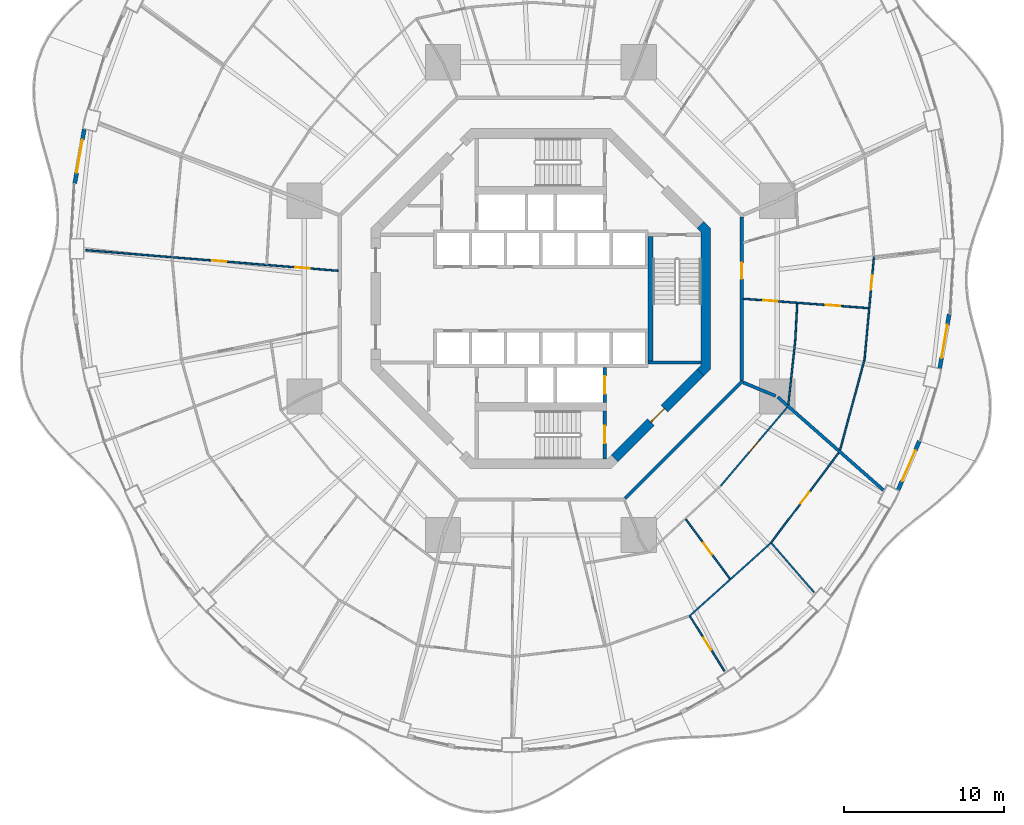
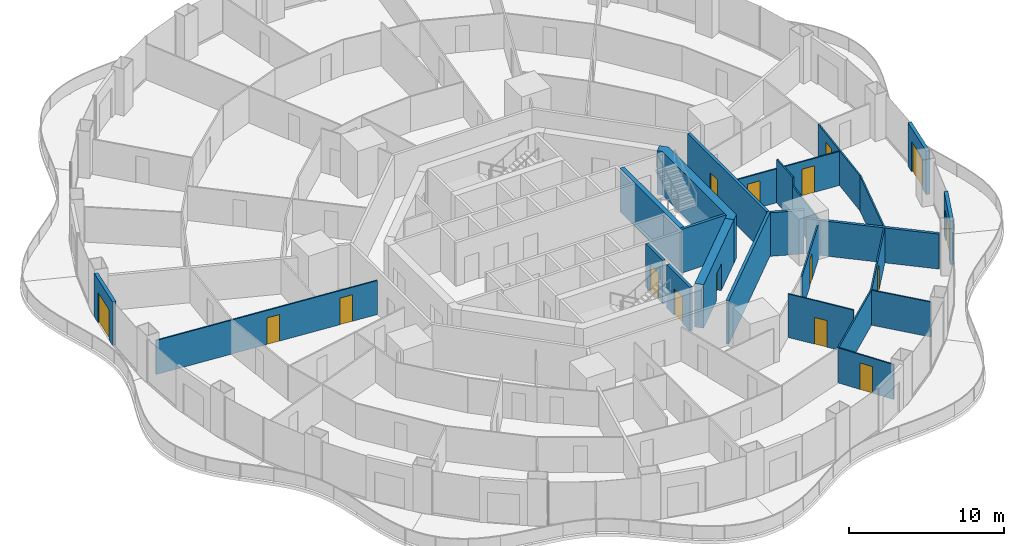
# One storey, part 16 of 22: 25 walls, 16 doors, 16 openings.
"""IFC4 building model written with IfcOpenShell, lengths in metres."""

from ifc_helpers import new_model, si_unit, direction, frame, frame_2d, origin, place, context, subcontext, project, spatial, polyline, rectangle, outline, extrude, material, layer, layer_set, type_object, element, fill, save


model = new_model("IFC4")

# Units and contexts
model_context = context("Model", 3, precision=1e-05, world=origin(), true_north=direction((0.0, 1.0)))
body_context = subcontext(model_context, "Body", "Model", "MODEL_VIEW")
ifc_project = project(units=[si_unit("LENGTHUNIT", "METRE"), si_unit("AREAUNIT", "SQUARE_METRE"), si_unit("VOLUMEUNIT", "CUBIC_METRE"), si_unit("PLANEANGLEUNIT", "RADIAN"), si_unit("MASSUNIT", "GRAM", prefix="KILO")], contexts=[model_context])

# Site, building, storey
site_placement = place(None, origin())
site = spatial("IfcSite", under=ifc_project, at=site_placement, CompositionType="ELEMENT")
building_placement = place(site_placement, origin())
building = spatial("IfcBuilding", under=site, at=building_placement, Name="Nagisa Residences", CompositionType="ELEMENT")
storey_placement = place(building_placement, frame((0.0, 0.0, 77.0)))
storey = spatial("IfcBuildingStorey", under=building, at=storey_placement, Name="L18", CompositionType="ELEMENT", Elevation=77.0)

# Walls
ifc_material_1 = material(Name="Gypsum board on steel studs", Category="steel")
ifc_layer_1 = layer(ifc_material_1, 0.199951171875)
ifc_layer_set_1 = layer_set([ifc_layer_1], Name="Apartment compartment wall EI60 200")
wall_type_1 = type_object("IfcWallType", Name="Apartment compartment wall EI60 200", PredefinedType="PARTITIONING", material=ifc_layer_set_1)
wall_1_placement = place(storey_placement, frame((12.6572265625, -5.24267578125, 0.0), z_axis=(0.0, 0.0, 1.0), x_axis=(0.923876145736, -0.382691608661, 0.0)))
element("IfcWall", 1, at=wall_1_placement, inside=storey, type_object=wall_type_1, Name="wall:L18:u06", PredefinedType="PARTITIONING", context=body_context, shape_type="SweptSolid", body=[
    extrude(rectangle(XDim=2.19970703125, YDim=0.199951171875, at=frame_2d((1.099853515625, 0.0))), origin(), (0.0, 0.0, 1.0), 3.43994140625),
])
wall_2_placement = place(storey_placement, frame((14.819580078125, -6.156005859375, 0.0), z_axis=(0.0, 0.0, 1.0), x_axis=(0.750582231659, -0.660777052808, 0.0)))
element("IfcWall", 2, at=wall_2_placement, inside=storey, type_object=wall_type_1, Name="wall:L18:u07", PredefinedType="PARTITIONING", context=body_context, shape_type="SweptSolid", body=[
    extrude(rectangle(XDim=8.781005859375, YDim=0.199951171875, at=frame_2d((4.390625, 0.0))), origin(), (0.0, 0.0, 1.0), 2.761962890625),
])

# Wall, opening, door
ifc_material_2 = material(Name="Gypsum board on steel studs", Category="steel")
ifc_layer_2 = layer(ifc_material_2, 0.199951171875)
ifc_layer_set_2 = layer_set([ifc_layer_2], Name="Apartment entry wall EI60 200")
wall_type_2 = type_object("IfcWallType", Name="Apartment entry wall EI60 200", PredefinedType="PARTITIONING", material=ifc_layer_set_2)
wall_3_placement = place(storey_placement, frame((12.564697265625, -5.1044921875, 0.0), z_axis=(0.0, 0.0, 1.0), x_axis=(0.0, 1.0, 0.0)))
wall_3 = element("IfcWall", 3, at=wall_3_placement, inside=storey, type_object=wall_type_2, Name="wall:L18:u08", PredefinedType="PARTITIONING", context=body_context, shape_type="SweptSolid", body=[
    extrude(rectangle(XDim=10.208984375, YDim=0.199951171875, at=frame_2d((5.1044921875, 0.0))), origin(), (0.0, 0.0, 1.0), 3.43994140625),
])
opening_1_placement = place(wall_3_placement, frame((6.33935546875, 0.0, 0.0)))
opening_1 = element("IfcOpeningElement", 4, at=opening_1_placement, cuts=wall_3, Name="Opening L18-U48", PredefinedType="OPENING", context=body_context, shape_type="SweptSolid", body=[
    extrude(rectangle(XDim=1.0, YDim=2.10009765625, at=frame_2d((0.5, 1.050048828125))), frame((0.0, 0.10986328125, 0.0), z_axis=(0.0, -1.0, 0.0), x_axis=(1.0, 0.0, 0.0)), (0.0, 0.0, 1.0), 0.219970703125),
])
ifc_material_3 = material(Name="Timber fire door set", Category="wood")
door_type_1 = type_object("IfcDoorType", Name="Apartment entry door FD30S 1000x2100", OperationType="NOTDEFINED", PredefinedType="DOOR", material=ifc_material_3)
door_1_placement = place(opening_1_placement, frame((1.0, 0.0, 0.0), x_axis=(-1.0, 0.0, 0.0)))
door_1 = element("IfcDoor", 5, at=door_1_placement, inside=storey, type_object=door_type_1, Name="Entry door, Apartment 18D", OperationType="SINGLE_SWING_LEFT", OverallHeight=2.10009765625, OverallWidth=1.0, PredefinedType="DOOR", context=body_context, shape_type="SweptSolid", body=[
    extrude(rectangle(XDim=1.0, YDim=2.10009765625, at=frame_2d((0.5, 1.050048828125))), frame((0.0, 0.02490234375, 0.0), z_axis=(0.0, -1.0, 0.0), x_axis=(1.0, 0.0, 0.0)), (0.0, 0.0, 1.0), 0.050048828125),
])
fill(opening_1, door_1)

# Wall
wall_4_placement = place(storey_placement, frame((5.275146484375, -12.494140625, 0.0), z_axis=(0.0, 0.0, 1.0), x_axis=(0.707106781187, 0.707106781187, 0.0)))
element("IfcWall", 6, at=wall_4_placement, inside=storey, type_object=wall_type_2, Name="wall:L18:u15", PredefinedType="PARTITIONING", context=body_context, shape_type="SweptSolid", body=[
    extrude(rectangle(XDim=10.4091796875, YDim=0.199951171875, at=frame_2d((5.20458984375, 0.0))), origin(), (0.0, 0.0, 1.0), 3.43994140625),
])

# Wall, opening, door
ifc_material_4 = material(Name="Gypsum board on steel studs", Category="steel")
ifc_layer_3 = layer(ifc_material_4, 0.10009765625)
ifc_layer_set_3 = layer_set([ifc_layer_3], Name="Apartment partition 100")
wall_type_3 = type_object("IfcWallType", Name="Apartment partition 100", PredefinedType="PARTITIONING", material=ifc_layer_set_3)
wall_5_placement = place(storey_placement, frame((20.833984375, 2.64208984375, 0.0), z_axis=(0.0, 0.0, 1.0), x_axis=(-0.091385407685, -0.995815599025, 0.0)))
wall_5 = element("IfcWall", 7, at=wall_5_placement, inside=storey, type_object=wall_type_3, Name="wall:L18:u18", PredefinedType="PARTITIONING", context=body_context, shape_type="SweptSolid", body=[
    extrude(rectangle(XDim=6.50244140625, YDim=0.10009765625, at=frame_2d((3.251220703125, 0.0))), origin(), (0.0, 0.0, 1.0), 2.761962890625),
])
opening_2_placement = place(wall_5_placement, frame((1.20068359375, 0.0, 0.0)))
opening_2 = element("IfcOpeningElement", 8, at=opening_2_placement, cuts=wall_5, Name="Opening L18-U53", PredefinedType="OPENING", context=body_context, shape_type="SweptSolid", body=[
    extrude(rectangle(XDim=0.89990234375, YDim=2.10009765625, at=frame_2d((0.449951171875, 1.050048828125))), frame((0.0, 0.06005859375, 0.0), z_axis=(0.0, -1.0, 0.0), x_axis=(1.0, 0.0, 0.0)), (0.0, 0.0, 1.0), 0.1201171875),
])
ifc_material_5 = material(Name="Timber door set", Category="wood")
door_type_2 = type_object("IfcDoorType", Name="Apartment door 900x2100", OperationType="NOTDEFINED", PredefinedType="DOOR", material=ifc_material_5)
door_2_placement = place(opening_2_placement, origin())
door_2 = element("IfcDoor", 9, at=door_2_placement, inside=storey, type_object=door_type_2, Name="Door to living room, Apartment 18D", OperationType="SINGLE_SWING_LEFT", OverallHeight=2.10009765625, OverallWidth=0.89990234375, PredefinedType="DOOR", context=body_context, shape_type="SweptSolid", body=[
    extrude(rectangle(XDim=0.89990234375, YDim=2.10009765625, at=frame_2d((0.449951171875, 1.050048828125))), frame((0.0, 0.02490234375, 0.0), z_axis=(0.0, -1.0, 0.0), x_axis=(1.0, 0.0, 0.0)), (0.0, 0.0, 1.0), 0.050048828125),
])
fill(opening_2, door_2)

# Wall, openings, doors
wall_6_placement = place(storey_placement, frame((-12.66455078125, 1.742919921875, 0.0), z_axis=(0.0, 0.0, 1.0), x_axis=(-0.996680482238, 0.081412630013, 0.0)))
wall_6 = element("IfcWall", 10, at=wall_6_placement, inside=storey, type_object=wall_type_3, Name="wall:L18:u55", PredefinedType="PARTITIONING", context=body_context, shape_type="SweptSolid", body=[
    extrude(rectangle(XDim=15.839599609375, YDim=0.10009765625, at=frame_2d((7.919921875, 0.0))), origin(), (0.0, 0.0, 1.0), 2.68701171875),
])
opening_3_placement = place(wall_6_placement, frame((1.793212890625, 0.0, 0.0)))
opening_3 = element("IfcOpeningElement", 11, at=opening_3_placement, cuts=wall_6, Name="Opening L18-U23", PredefinedType="OPENING", context=body_context, shape_type="SweptSolid", body=[
    extrude(rectangle(XDim=0.89990234375, YDim=2.10009765625, at=frame_2d((0.449951171875, 1.050048828125))), frame((0.0, 0.06005859375, 0.0), z_axis=(0.0, -1.0, 0.0), x_axis=(1.0, 0.0, 0.0)), (0.0, 0.0, 1.0), 0.1201171875),
])
opening_4_placement = place(wall_6_placement, frame((7.009033203125, 0.0, 0.0)))
opening_4 = element("IfcOpeningElement", 12, at=opening_4_placement, cuts=wall_6, Name="Opening L18-U25", PredefinedType="OPENING", context=body_context, shape_type="SweptSolid", body=[
    extrude(rectangle(XDim=0.89990234375, YDim=2.10009765625, at=frame_2d((0.449951171875, 1.050048828125))), frame((0.0, 0.06005859375, 0.0), z_axis=(0.0, -1.0, 0.0), x_axis=(1.0, 0.0, 0.0)), (0.0, 0.0, 1.0), 0.1201171875),
])
door_3_placement = place(opening_3_placement, frame((0.89990234375, 0.0, 0.0), x_axis=(-1.0, 0.0, 0.0)))
door_3 = element("IfcDoor", 13, at=door_3_placement, inside=storey, type_object=door_type_2, Name="Door to store, Apartment 18B", OperationType="SINGLE_SWING_RIGHT", OverallHeight=2.10009765625, OverallWidth=0.89990234375, PredefinedType="DOOR", context=body_context, shape_type="SweptSolid", body=[
    extrude(rectangle(XDim=0.89990234375, YDim=2.10009765625, at=frame_2d((0.449951171875, 1.050048828125))), frame((0.0, 0.02490234375, 0.0), z_axis=(0.0, -1.0, 0.0), x_axis=(1.0, 0.0, 0.0)), (0.0, 0.0, 1.0), 0.050048828125),
])
fill(opening_3, door_3)
door_4_placement = place(opening_4_placement, frame((0.89990234375, 0.0, 0.0), x_axis=(-1.0, 0.0, 0.0)))
door_4 = element("IfcDoor", 14, at=door_4_placement, inside=storey, type_object=door_type_2, Name="Door to study, Apartment 18B", OperationType="SINGLE_SWING_RIGHT", OverallHeight=2.10009765625, OverallWidth=0.89990234375, PredefinedType="DOOR", context=body_context, shape_type="SweptSolid", body=[
    extrude(rectangle(XDim=0.89990234375, YDim=2.10009765625, at=frame_2d((0.449951171875, 1.050048828125))), frame((0.0, 0.02490234375, 0.0), z_axis=(0.0, -1.0, 0.0), x_axis=(1.0, 0.0, 0.0)), (0.0, 0.0, 1.0), 0.050048828125),
])
fill(opening_4, door_4)

# Wall, opening, door
wall_7_placement = place(storey_placement, frame((9.336181640625, -19.876708984375, 0.0), z_axis=(0.0, 0.0, 1.0), x_axis=(0.533525984139, -0.845783674617, 0.0)))
wall_7 = element("IfcWall", 15, at=wall_7_placement, inside=storey, type_object=wall_type_3, Name="wall:L18:u83", PredefinedType="PARTITIONING", context=body_context, shape_type="SweptSolid", body=[
    extrude(rectangle(XDim=4.03271484375, YDim=0.10009765625, at=frame_2d((2.016357421875, 0.0))), origin(), (0.0, 0.0, 1.0), 2.761962890625),
])
opening_5_placement = place(wall_7_placement, frame((1.56640625, 0.0, 0.0)))
opening_5 = element("IfcOpeningElement", 16, at=opening_5_placement, cuts=wall_7, Name="Opening L18-U43", PredefinedType="OPENING", context=body_context, shape_type="SweptSolid", body=[
    extrude(rectangle(XDim=0.89990234375, YDim=2.10009765625, at=frame_2d((0.449951171875, 1.050048828125))), frame((0.0, 0.06005859375, 0.0), z_axis=(0.0, -1.0, 0.0), x_axis=(1.0, 0.0, 0.0)), (0.0, 0.0, 1.0), 0.1201171875),
])
door_5_placement = place(opening_5_placement, origin())
door_5 = element("IfcDoor", 17, at=door_5_placement, inside=storey, type_object=door_type_2, Name="Door to master bedroom, Apartment 18C", OperationType="SINGLE_SWING_LEFT", OverallHeight=2.10009765625, OverallWidth=0.89990234375, PredefinedType="DOOR", context=body_context, shape_type="SweptSolid", body=[
    extrude(rectangle(XDim=0.89990234375, YDim=2.10009765625, at=frame_2d((0.449951171875, 1.050048828125))), frame((0.0, 0.02490234375, 0.0), z_axis=(0.0, -1.0, 0.0), x_axis=(1.0, 0.0, 0.0)), (0.0, 0.0, 1.0), 0.050048828125),
])
fill(opening_5, door_5)

# Wall
wall_8_placement = place(storey_placement, frame((9.2724609375, -19.86767578125, 0.0), z_axis=(0.0, 0.0, 1.0), x_axis=(0.743884413566, 0.668308296562, 0.0)))
element("IfcWall", 18, at=wall_8_placement, inside=storey, type_object=wall_type_3, Name="wall:L18:u84", PredefinedType="PARTITIONING", context=body_context, shape_type="SweptSolid", body=[
    extrude(rectangle(XDim=6.84521484375, YDim=0.10009765625, at=frame_2d((3.422607421875, 0.0))), origin(), (0.0, 0.0, 1.0), 2.761962890625),
])

# Wall, opening, door
wall_9_placement = place(storey_placement, frame((9.0673828125, -13.788818359375, 0.0), z_axis=(0.0, 0.0, 1.0), x_axis=(0.5958491185, -0.80309640018, 0.0)))
wall_9 = element("IfcWall", 19, at=wall_9_placement, inside=storey, type_object=wall_type_3, Name="wall:L18:u85", PredefinedType="PARTITIONING", context=body_context, shape_type="SweptSolid", body=[
    extrude(rectangle(XDim=4.629638671875, YDim=0.10009765625, at=frame_2d((2.31494140625, 0.0))), origin(), (0.0, 0.0, 1.0), 3.43994140625),
])
opening_6_placement = place(wall_9_placement, frame((1.86474609375, 0.0, 0.0)))
opening_6 = element("IfcOpeningElement", 20, at=opening_6_placement, cuts=wall_9, Name="Opening L18-U41", PredefinedType="OPENING", context=body_context, shape_type="SweptSolid", body=[
    extrude(rectangle(XDim=0.89990234375, YDim=2.10009765625, at=frame_2d((0.449951171875, 1.050048828125))), frame((0.0, 0.06005859375, 0.0), z_axis=(0.0, -1.0, 0.0), x_axis=(1.0, 0.0, 0.0)), (0.0, 0.0, 1.0), 0.1201171875),
])
door_6_placement = place(opening_6_placement, origin())
door_6 = element("IfcDoor", 21, at=door_6_placement, inside=storey, type_object=door_type_2, Name="Door to kitchen, Apartment 18C", OperationType="SINGLE_SWING_LEFT", OverallHeight=2.10009765625, OverallWidth=0.89990234375, PredefinedType="DOOR", context=body_context, shape_type="SweptSolid", body=[
    extrude(rectangle(XDim=0.89990234375, YDim=2.10009765625, at=frame_2d((0.449951171875, 1.050048828125))), frame((0.0, 0.02490234375, 0.0), z_axis=(0.0, -1.0, 0.0), x_axis=(1.0, 0.0, 0.0)), (0.0, 0.0, 1.0), 0.050048828125),
])
fill(opening_6, door_6)

wall_10_placement = place(storey_placement, frame((11.2548828125, -11.698974609375, 0.0), z_axis=(0.0, 0.0, 1.0), x_axis=(0.646107653745, 0.763246290375, 0.0)))
wall_10 = element("IfcWall", 22, at=wall_10_placement, inside=storey, type_object=wall_type_3, Name="wall:L18:u86", PredefinedType="PARTITIONING", context=body_context, shape_type="SweptSolid", body=[
    extrude(rectangle(XDim=6.417236328125, YDim=0.10009765625, at=frame_2d((3.20849609375, 0.0))), origin(), (0.0, 0.0, 1.0), 2.761962890625),
])
opening_7_placement = place(wall_10_placement, frame((2.78369140625, 0.0, 0.0)))
opening_7 = element("IfcOpeningElement", 23, at=opening_7_placement, cuts=wall_10, Name="Opening L18-U45", PredefinedType="OPENING", context=body_context, shape_type="SweptSolid", body=[
    extrude(rectangle(XDim=0.89990234375, YDim=2.10009765625, at=frame_2d((0.449951171875, 1.050048828125))), frame((0.0, 0.06005859375, 0.0), z_axis=(0.0, -1.0, 0.0), x_axis=(1.0, 0.0, 0.0)), (0.0, 0.0, 1.0), 0.1201171875),
])
door_7_placement = place(opening_7_placement, origin())
door_7 = element("IfcDoor", 24, at=door_7_placement, inside=storey, type_object=door_type_2, Name="Door to store, Apartment 18C", OperationType="SINGLE_SWING_LEFT", OverallHeight=2.10009765625, OverallWidth=0.89990234375, PredefinedType="DOOR", context=body_context, shape_type="SweptSolid", body=[
    extrude(rectangle(XDim=0.89990234375, YDim=2.10009765625, at=frame_2d((0.449951171875, 1.050048828125))), frame((0.0, 0.02490234375, 0.0), z_axis=(0.0, -1.0, 0.0), x_axis=(1.0, 0.0, 0.0)), (0.0, 0.0, 1.0), 0.050048828125),
])
fill(opening_7, door_7)

# Wall
wall_11_placement = place(storey_placement, frame((14.4345703125, -15.29736328125, 0.0), z_axis=(0.0, 0.0, 1.0), x_axis=(0.654405107766, -0.756144136345, 0.0)))
element("IfcWall", 25, at=wall_11_placement, inside=storey, type_object=wall_type_3, Name="wall:L18:u87", PredefinedType="PARTITIONING", context=body_context, shape_type="SweptSolid", body=[
    extrude(rectangle(XDim=4.06982421875, YDim=0.10009765625, at=frame_2d((2.034912109375, 0.0))), origin(), (0.0, 0.0, 1.0), 2.761962890625),
])

# Wall, opening, door
wall_12_placement = place(storey_placement, frame((14.371826171875, -15.299560546875, 0.0), z_axis=(0.0, 0.0, 1.0), x_axis=(0.600987107857, 0.79925871668, 0.0)))
wall_12 = element("IfcWall", 26, at=wall_12_placement, inside=storey, type_object=wall_type_3, Name="wall:L18:u88", PredefinedType="PARTITIONING", context=body_context, shape_type="SweptSolid", body=[
    extrude(rectangle(XDim=7.080322265625, YDim=0.10009765625, at=frame_2d((3.5400390625, 0.0))), origin(), (0.0, 0.0, 1.0), 2.761962890625),
])
opening_8_placement = place(wall_12_placement, frame((3.114990234375, 0.0, 0.0)))
opening_8 = element("IfcOpeningElement", 27, at=opening_8_placement, cuts=wall_12, Name="Opening L18-U44", PredefinedType="OPENING", context=body_context, shape_type="SweptSolid", body=[
    extrude(rectangle(XDim=0.89990234375, YDim=2.10009765625, at=frame_2d((0.449951171875, 1.050048828125))), frame((0.0, 0.06005859375, 0.0), z_axis=(0.0, -1.0, 0.0), x_axis=(1.0, 0.0, 0.0)), (0.0, 0.0, 1.0), 0.1201171875),
])
door_8_placement = place(opening_8_placement, frame((0.89990234375, 0.0, 0.0), x_axis=(-1.0, 0.0, 0.0)))
door_8 = element("IfcDoor", 28, at=door_8_placement, inside=storey, type_object=door_type_2, Name="Door to bedroom, Apartment 18C", OperationType="SINGLE_SWING_LEFT", OverallHeight=2.10009765625, OverallWidth=0.89990234375, PredefinedType="DOOR", context=body_context, shape_type="SweptSolid", body=[
    extrude(rectangle(XDim=0.89990234375, YDim=2.10009765625, at=frame_2d((0.449951171875, 1.050048828125))), frame((0.0, 0.02490234375, 0.0), z_axis=(0.0, -1.0, 0.0), x_axis=(1.0, 0.0, 0.0)), (0.0, 0.0, 1.0), 0.050048828125),
])
fill(opening_8, door_8)

# Walls
wall_13_placement = place(storey_placement, frame((15.4765625, -6.62548828125, 0.0), z_axis=(0.0, 0.0, 1.0), x_axis=(0.107561928907, 0.994198386365, 0.0)))
element("IfcWall", 29, at=wall_13_placement, inside=storey, type_object=wall_type_3, Name="wall:L18:u89", PredefinedType="PARTITIONING", context=body_context, shape_type="SweptSolid", body=[
    extrude(rectangle(XDim=4.072021484375, YDim=0.10009765625, at=frame_2d((2.0361328125, 0.0))), origin(), (0.0, 0.0, 1.0), 2.761962890625),
])
wall_14_placement = place(storey_placement, frame((18.713134765625, -9.464111328125, 0.0), z_axis=(0.0, 0.0, 1.0), x_axis=(0.260279646259, 0.965533275316, 0.0)))
element("IfcWall", 30, at=wall_14_placement, inside=storey, type_object=wall_type_3, Name="wall:L18:u90", PredefinedType="PARTITIONING", context=body_context, shape_type="SweptSolid", body=[
    extrude(rectangle(XDim=5.83349609375, YDim=0.10009765625, at=frame_2d((2.916748046875, 0.0))), origin(), (0.0, 0.0, 1.0), 2.761962890625),
])
wall_15_placement = place(storey_placement, frame((15.911865234375, -2.5771484375, 0.0), z_axis=(0.0, 0.0, 1.0), x_axis=(0.053749298185, 0.998554461682, 0.0)))
element("IfcWall", 31, at=wall_15_placement, inside=storey, type_object=wall_type_3, Name="wall:L18:u91", PredefinedType="PARTITIONING", context=body_context, shape_type="SweptSolid", body=[
    extrude(rectangle(XDim=2.27099609375, YDim=0.10009765625, at=frame_2d((1.135498046875, 0.0))), origin(), (0.0, 0.0, 1.0), 3.43994140625),
])

# Wall, openings, doors
wall_16_placement = place(storey_placement, frame((12.66455078125, -0.007568359375, 0.0), z_axis=(0.0, 0.0, 1.0), x_axis=(0.997222647159, -0.074478130978, 0.0)))
wall_16 = element("IfcWall", 32, at=wall_16_placement, inside=storey, type_object=wall_type_3, Name="wall:L18:u92", PredefinedType="PARTITIONING", context=body_context, shape_type="SweptSolid", body=[
    extrude(rectangle(XDim=7.84423828125, YDim=0.10009765625, at=frame_2d((3.922119140625, 0.0))), origin(), (0.0, 0.0, 1.0), 2.68701171875),
])
opening_9_placement = place(wall_16_placement, frame((1.24072265625, 0.0, 0.0)))
opening_9 = element("IfcOpeningElement", 33, at=opening_9_placement, cuts=wall_16, Name="Opening L18-U49", PredefinedType="OPENING", context=body_context, shape_type="SweptSolid", body=[
    extrude(rectangle(XDim=0.89990234375, YDim=2.10009765625, at=frame_2d((0.449951171875, 1.050048828125))), frame((0.0, 0.06005859375, 0.0), z_axis=(0.0, -1.0, 0.0), x_axis=(1.0, 0.0, 0.0)), (0.0, 0.0, 1.0), 0.1201171875),
])
opening_10_placement = place(wall_16_placement, frame((5.162841796875, 0.0, 0.0)))
opening_10 = element("IfcOpeningElement", 34, at=opening_10_placement, cuts=wall_16, Name="Opening L18-U51", PredefinedType="OPENING", context=body_context, shape_type="SweptSolid", body=[
    extrude(rectangle(XDim=0.89990234375, YDim=2.10009765625, at=frame_2d((0.449951171875, 1.050048828125))), frame((0.0, 0.06005859375, 0.0), z_axis=(0.0, -1.0, 0.0), x_axis=(1.0, 0.0, 0.0)), (0.0, 0.0, 1.0), 0.1201171875),
])
door_9_placement = place(opening_9_placement, frame((0.89990234375, 0.0, 0.0), x_axis=(-1.0, 0.0, 0.0)))
door_9 = element("IfcDoor", 35, at=door_9_placement, inside=storey, type_object=door_type_2, Name="Door to laundry, Apartment 18D", OperationType="SINGLE_SWING_RIGHT", OverallHeight=2.10009765625, OverallWidth=0.89990234375, PredefinedType="DOOR", context=body_context, shape_type="SweptSolid", body=[
    extrude(rectangle(XDim=0.89990234375, YDim=2.10009765625, at=frame_2d((0.449951171875, 1.050048828125))), frame((0.0, 0.02490234375, 0.0), z_axis=(0.0, -1.0, 0.0), x_axis=(1.0, 0.0, 0.0)), (0.0, 0.0, 1.0), 0.050048828125),
])
fill(opening_9, door_9)
door_10_placement = place(opening_10_placement, frame((0.89990234375, 0.0, 0.0), x_axis=(-1.0, 0.0, 0.0)))
door_10 = element("IfcDoor", 36, at=door_10_placement, inside=storey, type_object=door_type_2, Name="Door to kitchen, Apartment 18D", OperationType="SINGLE_SWING_RIGHT", OverallHeight=2.10009765625, OverallWidth=0.89990234375, PredefinedType="DOOR", context=body_context, shape_type="SweptSolid", body=[
    extrude(rectangle(XDim=0.89990234375, YDim=2.10009765625, at=frame_2d((0.449951171875, 1.050048828125))), frame((0.0, 0.02490234375, 0.0), z_axis=(0.0, -1.0, 0.0), x_axis=(1.0, 0.0, 0.0)), (0.0, 0.0, 1.0), 0.050048828125),
])
fill(opening_10, door_10)

# Wall, opening, door
ifc_material_6 = material(Name="Precast concrete C40/50", Category="concrete")
ifc_layer_4 = layer(ifc_material_6, 0.25)
ifc_layer_set_4 = layer_set([ifc_layer_4], Name="BALCONY DOOR WALL 250")
wall_type_4 = type_object("IfcWallType", Name="BALCONY DOOR WALL 250", PredefinedType="SOLIDWALL", material=ifc_layer_set_4)
wall_17_placement = place(storey_placement, frame((-29.135009765625, 7.209716796875, 0.0), z_axis=(0.0, 0.0, 1.0), x_axis=(0.17223289558, 0.985056257114, 0.0)))
wall_17 = element("IfcWall", 37, at=wall_17_placement, inside=storey, type_object=wall_type_4, Name="wall:L18:bay22", PredefinedType="SOLIDWALL", context=body_context, shape_type="SweptSolid", body=[
    extrude(rectangle(XDim=3.454345703125, YDim=0.25, at=frame_2d((1.72705078125, 0.0))), origin(), (0.0, 0.0, 1.0), 3.43994140625),
])
opening_11_placement = place(wall_17_placement, frame((0.67724609375, 0.0, 0.0)))
opening_11 = element("IfcOpeningElement", 38, at=opening_11_placement, cuts=wall_17, Name="Opening BD-L18-08", PredefinedType="OPENING", context=body_context, shape_type="SweptSolid", body=[
    extrude(rectangle(XDim=2.10009765625, YDim=2.39990234375, at=frame_2d((1.050048828125, 1.199951171875))), frame((0.0, 0.135009765625, 0.0), z_axis=(0.0, -1.0, 0.0), x_axis=(1.0, 0.0, 0.0)), (0.0, 0.0, 1.0), 0.27001953125),
])
ifc_material_7 = material(Name="Aluminium and clear glass", Category="aluminium")
door_type_3 = type_object("IfcDoorType", Name="BALCONY SLIDING DOOR 2100x2400", OperationType="SLIDING_TO_LEFT", PredefinedType="DOOR", material=ifc_material_7)
door_11_placement = place(opening_11_placement, origin())
door_11 = element("IfcDoor", 39, at=door_11_placement, inside=storey, type_object=door_type_3, Name="door:L18:bay22", OperationType="SLIDING_TO_LEFT", OverallHeight=2.39990234375, OverallWidth=2.10009765625, PredefinedType="DOOR", context=body_context, shape_type="SweptSolid", body=[
    extrude(rectangle(XDim=2.10009765625, YDim=2.39990234375, at=frame_2d((1.050048828125, 1.199951171875))), frame((0.0, 0.02490234375, 0.0), z_axis=(0.0, -1.0, 0.0), x_axis=(1.0, 0.0, 0.0)), (0.0, 0.0, 1.0), 0.050048828125),
])
fill(opening_11, door_11)

wall_18_placement = place(storey_placement, frame((23.672119140625, -8.892822265625, 0.0), z_axis=(0.0, 0.0, 1.0), x_axis=(-0.397621629246, -0.917549475481, 0.0)))
wall_18 = element("IfcWall", 40, at=wall_18_placement, inside=storey, type_object=wall_type_4, Name="wall:L18:bay44", PredefinedType="SOLIDWALL", context=body_context, shape_type="SweptSolid", body=[
    extrude(rectangle(XDim=3.37939453125, YDim=0.25, at=frame_2d((1.689697265625, 0.0))), origin(), (0.0, 0.0, 1.0), 3.43994140625),
])
opening_12_placement = place(wall_18_placement, frame((0.6396484375, 0.0, 0.0)))
opening_12 = element("IfcOpeningElement", 41, at=opening_12_placement, cuts=wall_18, Name="Opening BD-L18-15", PredefinedType="OPENING", context=body_context, shape_type="SweptSolid", body=[
    extrude(rectangle(XDim=2.10009765625, YDim=2.39990234375, at=frame_2d((1.050048828125, 1.199951171875))), frame((0.0, 0.135009765625, 0.0), z_axis=(0.0, -1.0, 0.0), x_axis=(1.0, 0.0, 0.0)), (0.0, 0.0, 1.0), 0.27001953125),
])
door_12_placement = place(opening_12_placement, origin())
door_12 = element("IfcDoor", 42, at=door_12_placement, inside=storey, type_object=door_type_3, Name="door:L18:bay44", OperationType="SLIDING_TO_LEFT", OverallHeight=2.39990234375, OverallWidth=2.10009765625, PredefinedType="DOOR", context=body_context, shape_type="SweptSolid", body=[
    extrude(rectangle(XDim=2.10009765625, YDim=2.39990234375, at=frame_2d((1.050048828125, 1.199951171875))), frame((0.0, 0.02490234375, 0.0), z_axis=(0.0, -1.0, 0.0), x_axis=(1.0, 0.0, 0.0)), (0.0, 0.0, 1.0), 0.050048828125),
])
fill(opening_12, door_12)

wall_19_placement = place(storey_placement, frame((25.534912109375, -0.974365234375, 0.0), z_axis=(0.0, 0.0, 1.0), x_axis=(-0.172164316671, -0.985068245385, 0.0)))
wall_19 = element("IfcWall", 43, at=wall_19_placement, inside=storey, type_object=wall_type_4, Name="wall:L18:bay46", PredefinedType="SOLIDWALL", context=body_context, shape_type="SweptSolid", body=[
    extrude(rectangle(XDim=3.454345703125, YDim=0.25, at=frame_2d((1.72705078125, 0.0))), origin(), (0.0, 0.0, 1.0), 3.43994140625),
])
opening_13_placement = place(wall_19_placement, frame((0.67724609375, 0.0, 0.0)))
opening_13 = element("IfcOpeningElement", 44, at=opening_13_placement, cuts=wall_19, Name="Opening BD-L18-16", PredefinedType="OPENING", context=body_context, shape_type="SweptSolid", body=[
    extrude(rectangle(XDim=2.10009765625, YDim=2.39990234375, at=frame_2d((1.050048828125, 1.199951171875))), frame((0.0, 0.135009765625, 0.0), z_axis=(0.0, -1.0, 0.0), x_axis=(1.0, 0.0, 0.0)), (0.0, 0.0, 1.0), 0.27001953125),
])
door_13_placement = place(opening_13_placement, origin())
door_13 = element("IfcDoor", 45, at=door_13_placement, inside=storey, type_object=door_type_3, Name="door:L18:bay46", OperationType="SLIDING_TO_LEFT", OverallHeight=2.39990234375, OverallWidth=2.10009765625, PredefinedType="DOOR", context=body_context, shape_type="SweptSolid", body=[
    extrude(rectangle(XDim=2.10009765625, YDim=2.39990234375, at=frame_2d((1.050048828125, 1.199951171875))), frame((0.0, 0.02490234375, 0.0), z_axis=(0.0, -1.0, 0.0), x_axis=(1.0, 0.0, 0.0)), (0.0, 0.0, 1.0), 0.050048828125),
])
fill(opening_13, door_13)

ifc_material_8 = material(Name="Concrete C60", Category="concrete")
ifc_layer_5 = layer(ifc_material_8, 0.60009765625)
ifc_layer_set_5 = layer_set([ifc_layer_5], Name="Core shear wall 600")
wall_type_5 = type_object("IfcWallType", Name="Core shear wall 600", PredefinedType="SHEAR", material=ifc_layer_set_5)
wall_20_placement = place(storey_placement, frame((4.613037109375, -9.98828125, 0.0), z_axis=(0.0, 0.0, 1.0), x_axis=(0.707106781187, 0.707106781187, 0.0)))
wall_20 = element("IfcWall", 46, at=wall_20_placement, inside=storey, type_object=wall_type_5, Name="wall:L18:core:flat7", PredefinedType="SHEAR", context=body_context, shape_type="SweptSolid", body=[
    extrude(rectangle(XDim=7.601806640625, YDim=0.60009765625, at=frame_2d((3.80078125, 0.0))), origin(), (0.0, 0.0, 1.0), 3.43994140625),
])
opening_14_placement = place(wall_20_placement, frame((3.200927734375, 0.0, 0.0)))
opening_14 = element("IfcOpeningElement", 47, at=opening_14_placement, cuts=wall_20, Name="Opening L18-C17", PredefinedType="OPENING", context=body_context, shape_type="SweptSolid", body=[
    extrude(rectangle(XDim=1.199951171875, YDim=2.10009765625, at=frame_2d((0.60009765625, 1.050048828125))), frame((0.0, 0.31005859375, 0.0), z_axis=(0.0, -1.0, 0.0), x_axis=(1.0, 0.0, 0.0)), (0.0, 0.0, 1.0), 0.6201171875),
])
ifc_material_9 = material(Name="Steel fire door", Category="steel")
door_type_4 = type_object("IfcDoorType", Name="Fire door EI60 1200x2100 single swing", OperationType="NOTDEFINED", PredefinedType="DOOR", material=ifc_material_9)
door_14_placement = place(opening_14_placement, origin())
door_14 = element("IfcDoor", 48, at=door_14_placement, inside=storey, type_object=door_type_4, Name="Firefighting lobby 2 door L18", OperationType="SINGLE_SWING_LEFT", OverallHeight=2.10009765625, OverallWidth=1.199951171875, PredefinedType="DOOR", context=body_context, shape_type="SweptSolid", body=[
    extrude(rectangle(XDim=1.199951171875, YDim=2.10009765625, at=frame_2d((0.60009765625, 1.050048828125))), frame((0.0, 0.02490234375, 0.0), z_axis=(0.0, -1.0, 0.0), x_axis=(1.0, 0.0, 0.0)), (0.0, 0.0, 1.0), 0.050048828125),
])
fill(opening_14, door_14)

# Wall
wall_21_placement = place(storey_placement, origin())
element("IfcWall", 49, at=wall_21_placement, inside=storey, type_object=wall_type_5, Name="wall:L18:core:flat0", PredefinedType="SHEAR", context=body_context, shape_type="SweptSolid", body=[
    extrude(outline(polyline([(9.776123046875, -4.40087890625), (10.024658203125, -4.15234375), (10.024658203125, -3.801025390625), (10.024658203125, 4.15234375), (9.776123046875, 4.40087890625), (10.200439453125, 4.8251953125), (10.62451171875, 4.40087890625), (10.62451171875, -4.40087890625), (10.200439453125, -4.8251953125), (9.776123046875, -4.40087890625)])), origin(), (0.0, 0.0, 1.0), 3.43994140625),
])

# Wall, opening, door
ifc_material_10 = material(Name="Concrete C60", Category="concrete")
ifc_layer_6 = layer(ifc_material_10, 0.199951171875)
ifc_layer_set_6 = layer_set([ifc_layer_6], Name="Lift shaft wall 200")
wall_type_6 = type_object("IfcWallType", Name="Lift shaft wall 200", PredefinedType="SOLIDWALL", material=ifc_layer_set_6)
wall_22_placement = place(storey_placement, frame((4.0, -6.5, 0.0), z_axis=(0.0, 0.0, 1.0), x_axis=(0.0, 1.0, 0.0)))
wall_22 = element("IfcWall", 50, at=wall_22_placement, inside=storey, type_object=wall_type_6, Name="wall:L18:Sb3", PredefinedType="SOLIDWALL", context=body_context, shape_type="SweptSolid", body=[
    extrude(rectangle(XDim=2.199951171875, YDim=0.199951171875, at=frame_2d((1.10009765625, 0.0))), origin(), (0.0, 0.0, 1.0), 3.43994140625),
])
opening_15_placement = place(wall_22_placement, frame((0.550048828125, 0.0, 0.0)))
opening_15 = element("IfcOpeningElement", 51, at=opening_15_placement, cuts=wall_22, Name="Opening L18-C07", PredefinedType="OPENING", context=body_context, shape_type="SweptSolid", body=[
    extrude(rectangle(XDim=1.10009765625, YDim=2.10009765625, at=frame_2d((0.550048828125, 1.050048828125))), frame((0.0, 0.10986328125, 0.0), z_axis=(0.0, -1.0, 0.0), x_axis=(1.0, 0.0, 0.0)), (0.0, 0.0, 1.0), 0.219970703125),
])
ifc_material_11 = material(Name="Stainless steel", Category="steel")
door_type_5 = type_object("IfcDoorType", Name="Lift landing door 1100x2100", OperationType="DOUBLE_DOOR_SLIDING", PredefinedType="DOOR", material=ifc_material_11)
door_15_placement = place(opening_15_placement, origin())
door_15 = element("IfcDoor", 52, at=door_15_placement, inside=storey, type_object=door_type_5, Name="Landing door FL2 L18", OperationType="DOUBLE_DOOR_SLIDING", OverallHeight=2.10009765625, OverallWidth=1.10009765625, PredefinedType="DOOR", context=body_context, shape_type="SweptSolid", body=[
    extrude(rectangle(XDim=1.10009765625, YDim=2.10009765625, at=frame_2d((0.550048828125, 1.050048828125))), frame((0.0, 0.02490234375, 0.0), z_axis=(0.0, -1.0, 0.0), x_axis=(1.0, 0.0, 0.0)), (0.0, 0.0, 1.0), 0.050048828125),
])
fill(opening_15, door_15)

ifc_material_12 = material(Name="Concrete C60", Category="concrete")
ifc_layer_7 = layer(ifc_material_12, 0.199951171875)
ifc_layer_set_7 = layer_set([ifc_layer_7], Name="Stair enclosure wall 200")
wall_type_7 = type_object("IfcWallType", Name="Stair enclosure wall 200", PredefinedType="SOLIDWALL", material=ifc_layer_set_7)
wall_23_placement = place(storey_placement, frame((4.0, -10.024658203125, 0.0), z_axis=(0.0, 0.0, 1.0), x_axis=(0.0, 1.0, 0.0)))
wall_23 = element("IfcWall", 53, at=wall_23_placement, inside=storey, type_object=wall_type_7, Name="wall:L18:SS_e", PredefinedType="SOLIDWALL", context=body_context, shape_type="SweptSolid", body=[
    extrude(rectangle(XDim=3.0, YDim=0.199951171875, at=frame_2d((1.5, 0.0))), origin(), (0.0, 0.0, 1.0), 3.43994140625),
])
opening_16_placement = place(wall_23_placement, frame((0.974609375, 0.0, 0.0)))
opening_16 = element("IfcOpeningElement", 54, at=opening_16_placement, cuts=wall_23, Name="Opening L18-C11", PredefinedType="OPENING", context=body_context, shape_type="SweptSolid", body=[
    extrude(rectangle(XDim=1.10009765625, YDim=2.10009765625, at=frame_2d((0.550048828125, 1.050048828125))), frame((0.0, 0.10986328125, 0.0), z_axis=(0.0, -1.0, 0.0), x_axis=(1.0, 0.0, 0.0)), (0.0, 0.0, 1.0), 0.219970703125),
])
ifc_material_13 = material(Name="Steel fire door", Category="steel")
door_type_6 = type_object("IfcDoorType", Name="Fire door EI90 1100x2100 single swing", OperationType="NOTDEFINED", PredefinedType="DOOR", material=ifc_material_13)
door_16_placement = place(opening_16_placement, origin())
door_16 = element("IfcDoor", 55, at=door_16_placement, inside=storey, type_object=door_type_6, Name="Stair door ST-S L18", OperationType="SINGLE_SWING_LEFT", OverallHeight=2.10009765625, OverallWidth=1.10009765625, PredefinedType="DOOR", context=body_context, shape_type="SweptSolid", body=[
    extrude(rectangle(XDim=1.10009765625, YDim=2.10009765625, at=frame_2d((0.550048828125, 1.050048828125))), frame((0.0, 0.02490234375, 0.0), z_axis=(0.0, -1.0, 0.0), x_axis=(1.0, 0.0, 0.0)), (0.0, 0.0, 1.0), 0.050048828125),
])
fill(opening_16, door_16)

# Walls
wall_24_placement = place(storey_placement, origin())
element("IfcWall", 56, at=wall_24_placement, inside=storey, type_object=wall_type_7, Name="wall:L18:SE_w", PredefinedType="SOLIDWALL", context=body_context, shape_type="SweptSolid", body=[
    extrude(outline(polyline([(7.024658203125, -3.89990234375), (6.699951171875, -3.89990234375), (6.699951171875, 3.89990234375), (7.024658203125, 3.89990234375), (7.024658203125, -3.89990234375)])), origin(), (0.0, 0.0, 1.0), 3.43994140625),
])
wall_25_placement = place(storey_placement, origin())
element("IfcWall", 57, at=wall_25_placement, inside=storey, type_object=wall_type_7, Name="wall:L18:SE_s", PredefinedType="SOLIDWALL", context=body_context, shape_type="SweptSolid", body=[
    extrude(outline(polyline([(10.024658203125, -4.10009765625), (6.699951171875, -4.10009765625), (6.699951171875, -3.89990234375), (10.024658203125, -3.89990234375), (10.024658203125, -4.10009765625)])), origin(), (0.0, 0.0, 1.0), 3.43994140625),
])

save(model, "model.ifc")
